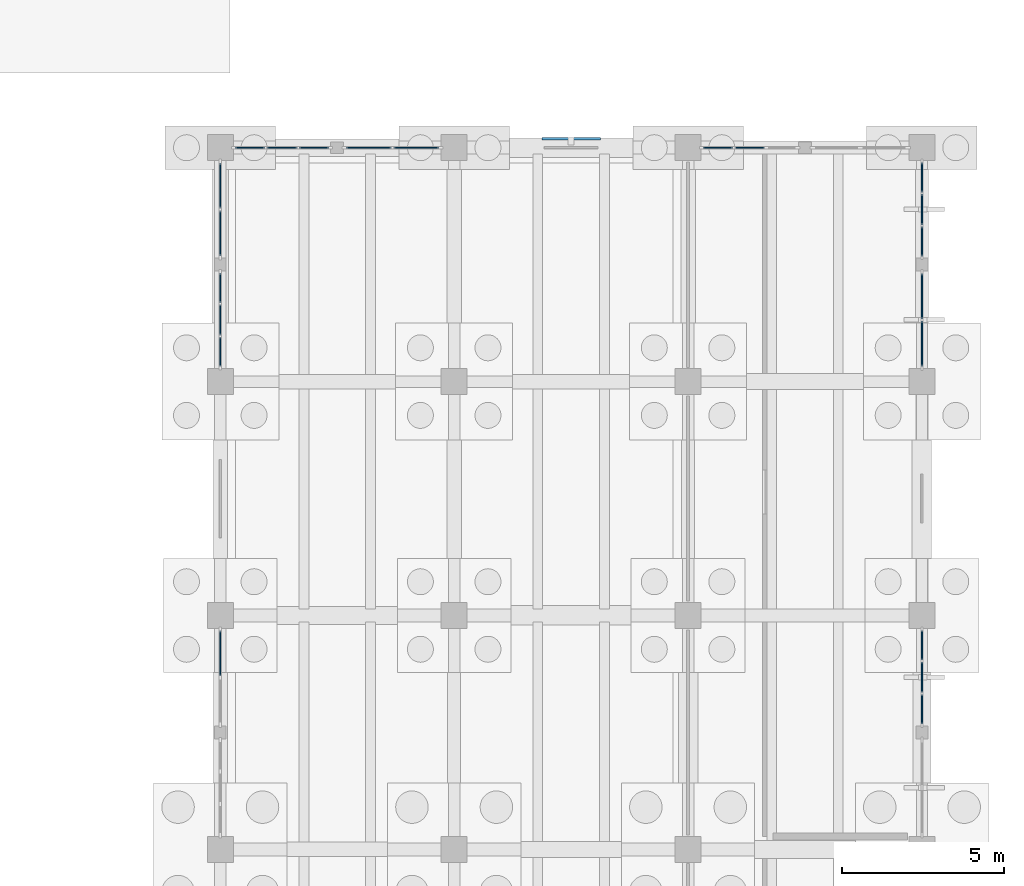
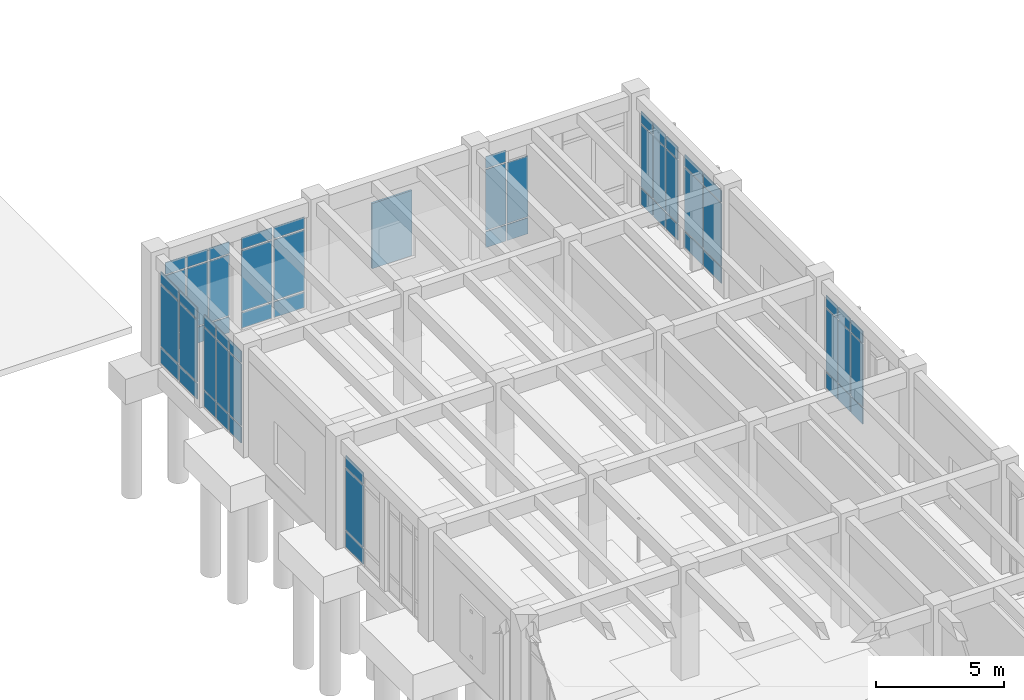
# One storey, part 60 of 93: 63 plates, 9 elements without a shape of their own.
"""IFC4 building model written with IfcOpenShell, lengths in metres."""

from ifc_helpers import new_model, si_unit, direction, frame, origin, origin_2d, place, context, subcontext, project, spatial, rectangle, extrude, material, layer, layer_set, type_object, element, aggregate, save


model = new_model("IFC4")

# Units and contexts
model_context = context("Model", 3, precision=1e-05, world=origin(), true_north=direction((0.0, 1.0)))
body_context = subcontext(model_context, "Body", "Model", "MODEL_VIEW")
ifc_project = project(units=[si_unit("LENGTHUNIT", "METRE"), si_unit("AREAUNIT", "SQUARE_METRE"), si_unit("VOLUMEUNIT", "CUBIC_METRE"), si_unit("PLANEANGLEUNIT", "RADIAN"), si_unit("MASSUNIT", "GRAM", prefix="KILO")], contexts=[model_context])

# Site, building, storey
site_placement = place(None, origin())
site = spatial("IfcSite", under=ifc_project, at=site_placement, CompositionType="ELEMENT")
building_placement = place(site_placement, origin())
building = spatial("IfcBuilding", under=site, at=building_placement, Name="Koriwan Promenade Central Fire Station", CompositionType="ELEMENT")
storey_placement = place(building_placement, origin())
storey = spatial("IfcBuildingStorey", under=building, at=storey_placement, Name="L00", CompositionType="ELEMENT", Elevation=0.0)

# Curtain wall, plates
ifc_material_1 = material(Name="Aluminium EN AW-6063-T6 and low-E glazing", Category="aluminium")
ifc_layer_1 = layer(ifc_material_1, 0.159912109375, Name="Aluminium EN AW-6063-T6 and low-E glazing")
ifc_layer_set_1 = layer_set([ifc_layer_1], Name="Aluminium EN AW-6063-T6 and low-E glazing")
curtain_wall_type_1 = type_object("IfcCurtainWallType", Name="CurtainWall_52_300x449", PredefinedType="USERDEFINED", material=ifc_layer_set_1)
curtain_wall_1_placement = place(storey_placement, origin())
curtain_wall_1 = element("IfcCurtainWall", 1, at=curtain_wall_1_placement, inside=storey, type_object=curtain_wall_type_1, Name="V5 L00 unitised curtain wall 142", ObjectType="UNITISED CURTAIN WALL", PredefinedType="USERDEFINED")
ifc_material_2 = material(Name="Blast-resistant laminated safety glazing", Category="glass")
ifc_layer_2 = layer(ifc_material_2, 0.035888671875, Name="Blast-resistant laminated safety glazing")
ifc_layer_set_2 = layer_set([ifc_layer_2], Name="Blast-resistant laminated safety glazing")
plate_type_1 = type_object("IfcPlateType", Name="CWPanel_36", PredefinedType="CURTAIN_PANEL", material=ifc_layer_set_2)
plate_1_placement = place(storey_placement, frame((151.199951171875, 63.63134765625, 0.0751953125), z_axis=(0.0, 0.0, 1.0), x_axis=(0.0, 1.0, 0.0)))
plate_1 = element("IfcPlate", 2, at=plate_1_placement, type_object=plate_type_1, Name="CW-52 panel 2.1", PredefinedType="CURTAIN_PANEL", context=body_context, shape_type="SweptSolid", body=[
    extrude(rectangle(XDim=1.387451171875, YDim=0.035888671875, at=origin_2d()), origin(), (0.0, 0.0, 1.0), 0.737548828125),
])
plate_2_placement = place(storey_placement, frame((151.199951171875, 63.63134765625, 0.887451171875), z_axis=(0.0, 0.0, 1.0), x_axis=(0.0, 1.0, 0.0)))
plate_2 = element("IfcPlate", 3, at=plate_2_placement, type_object=plate_type_1, Name="CW-52 panel 2.2", PredefinedType="CURTAIN_PANEL", context=body_context, shape_type="SweptSolid", body=[
    extrude(rectangle(XDim=1.387451171875, YDim=0.035888671875, at=origin_2d()), origin(), (0.0, 0.0, 1.0), 2.9150390625),
])
plate_3_placement = place(storey_placement, frame((151.199951171875, 63.63134765625, 3.87744140625), z_axis=(0.0, 0.0, 1.0), x_axis=(0.0, 1.0, 0.0)))
plate_3 = element("IfcPlate", 4, at=plate_3_placement, type_object=plate_type_1, Name="CW-52 panel 2.3", PredefinedType="CURTAIN_PANEL", context=body_context, shape_type="SweptSolid", body=[
    extrude(rectangle(XDim=1.387451171875, YDim=0.035888671875, at=origin_2d()), origin(), (0.0, 0.0, 1.0), 0.53759765625),
])
aggregate(curtain_wall_1, [plate_1, plate_2, plate_3])

ifc_layer_3 = layer(ifc_material_1, 0.159912109375, Name="Aluminium EN AW-6063-T6 and low-E glazing")
ifc_layer_set_3 = layer_set([ifc_layer_3], Name="Aluminium EN AW-6063-T6 and low-E glazing")
curtain_wall_type_2 = type_object("IfcCurtainWallType", Name="CurtainWall_53_300x450", PredefinedType="USERDEFINED", material=ifc_layer_set_3)
curtain_wall_2_placement = place(storey_placement, origin())
curtain_wall_2 = element("IfcCurtainWall", 5, at=curtain_wall_2_placement, inside=storey, type_object=curtain_wall_type_2, Name="V5 L00 unitised curtain wall 143", ObjectType="UNITISED CURTAIN WALL", PredefinedType="USERDEFINED")
plate_4_placement = place(storey_placement, frame((151.199951171875, 72.916259765625, 0.06494140625), z_axis=(0.0, 0.0, 1.0), x_axis=(0.0, 1.0, 0.0)))
plate_4 = element("IfcPlate", 6, at=plate_4_placement, type_object=plate_type_1, Name="CW-53 panel 1.1", PredefinedType="CURTAIN_PANEL", context=body_context, shape_type="SweptSolid", body=[
    extrude(rectangle(XDim=0.902587890625, YDim=0.035888671875, at=origin_2d()), origin(), (0.0, 0.0, 1.0), 0.75244140625),
])
plate_5_placement = place(storey_placement, frame((151.199951171875, 72.916259765625, 0.882568359375), z_axis=(0.0, 0.0, 1.0), x_axis=(0.0, 1.0, 0.0)))
plate_5 = element("IfcPlate", 7, at=plate_5_placement, type_object=plate_type_1, Name="CW-53 panel 1.2", PredefinedType="CURTAIN_PANEL", context=body_context, shape_type="SweptSolid", body=[
    extrude(rectangle(XDim=0.902587890625, YDim=0.035888671875, at=origin_2d()), origin(), (0.0, 0.0, 1.0), 2.93505859375),
])
plate_6_placement = place(storey_placement, frame((151.199951171875, 72.916259765625, 3.88232421875), z_axis=(0.0, 0.0, 1.0), x_axis=(0.0, 1.0, 0.0)))
plate_6 = element("IfcPlate", 8, at=plate_6_placement, type_object=plate_type_1, Name="CW-53 panel 1.3", PredefinedType="CURTAIN_PANEL", context=body_context, shape_type="SweptSolid", body=[
    extrude(rectangle(XDim=0.902587890625, YDim=0.035888671875, at=origin_2d()), origin(), (0.0, 0.0, 1.0), 0.552490234375),
])
plate_7_placement = place(storey_placement, frame((151.199951171875, 73.89990234375, 0.06494140625), z_axis=(0.0, 0.0, 1.0), x_axis=(0.0, 1.0, 0.0)))
plate_7 = element("IfcPlate", 9, at=plate_7_placement, type_object=plate_type_1, Name="CW-53 panel 2.1", PredefinedType="CURTAIN_PANEL", context=body_context, shape_type="SweptSolid", body=[
    extrude(rectangle(XDim=0.93505859375, YDim=0.035888671875, at=origin_2d()), origin(), (0.0, 0.0, 1.0), 0.75244140625),
])
plate_8_placement = place(storey_placement, frame((151.199951171875, 73.89990234375, 0.882568359375), z_axis=(0.0, 0.0, 1.0), x_axis=(0.0, 1.0, 0.0)))
plate_8 = element("IfcPlate", 10, at=plate_8_placement, type_object=plate_type_1, Name="CW-53 panel 2.2", PredefinedType="CURTAIN_PANEL", context=body_context, shape_type="SweptSolid", body=[
    extrude(rectangle(XDim=0.93505859375, YDim=0.035888671875, at=origin_2d()), origin(), (0.0, 0.0, 1.0), 2.93505859375),
])
plate_9_placement = place(storey_placement, frame((151.199951171875, 73.89990234375, 3.88232421875), z_axis=(0.0, 0.0, 1.0), x_axis=(0.0, 1.0, 0.0)))
plate_9 = element("IfcPlate", 11, at=plate_9_placement, type_object=plate_type_1, Name="CW-53 panel 2.3", PredefinedType="CURTAIN_PANEL", context=body_context, shape_type="SweptSolid", body=[
    extrude(rectangle(XDim=0.93505859375, YDim=0.035888671875, at=origin_2d()), origin(), (0.0, 0.0, 1.0), 0.552490234375),
])
plate_10_placement = place(storey_placement, frame((151.199951171875, 74.8837890625, 0.06494140625), z_axis=(0.0, 0.0, 1.0), x_axis=(0.0, 1.0, 0.0)))
plate_10 = element("IfcPlate", 12, at=plate_10_placement, type_object=plate_type_1, Name="CW-53 panel 3.1", PredefinedType="CURTAIN_PANEL", context=body_context, shape_type="SweptSolid", body=[
    extrude(rectangle(XDim=0.902587890625, YDim=0.035888671875, at=origin_2d()), origin(), (0.0, 0.0, 1.0), 0.75244140625),
])
plate_11_placement = place(storey_placement, frame((151.199951171875, 74.8837890625, 0.882568359375), z_axis=(0.0, 0.0, 1.0), x_axis=(0.0, 1.0, 0.0)))
plate_11 = element("IfcPlate", 13, at=plate_11_placement, type_object=plate_type_1, Name="CW-53 panel 3.2", PredefinedType="CURTAIN_PANEL", context=body_context, shape_type="SweptSolid", body=[
    extrude(rectangle(XDim=0.902587890625, YDim=0.035888671875, at=origin_2d()), origin(), (0.0, 0.0, 1.0), 2.93505859375),
])
plate_12_placement = place(storey_placement, frame((151.199951171875, 74.8837890625, 3.88232421875), z_axis=(0.0, 0.0, 1.0), x_axis=(0.0, 1.0, 0.0)))
plate_12 = element("IfcPlate", 14, at=plate_12_placement, type_object=plate_type_1, Name="CW-53 panel 3.3", PredefinedType="CURTAIN_PANEL", context=body_context, shape_type="SweptSolid", body=[
    extrude(rectangle(XDim=0.902587890625, YDim=0.035888671875, at=origin_2d()), origin(), (0.0, 0.0, 1.0), 0.552490234375),
])
aggregate(curtain_wall_2, [plate_4, plate_5, plate_6, plate_7, plate_8, plate_9, plate_10, plate_11, plate_12])

ifc_layer_4 = layer(ifc_material_1, 0.159912109375, Name="Aluminium EN AW-6063-T6 and low-E glazing")
ifc_layer_set_4 = layer_set([ifc_layer_4], Name="Aluminium EN AW-6063-T6 and low-E glazing")
curtain_wall_type_3 = type_object("IfcCurtainWallType", Name="CurtainWall_54_300x450", PredefinedType="USERDEFINED", material=ifc_layer_set_4)
curtain_wall_3_placement = place(storey_placement, origin())
curtain_wall_3 = element("IfcCurtainWall", 15, at=curtain_wall_3_placement, inside=storey, type_object=curtain_wall_type_3, Name="V5 L00 unitised curtain wall 144", ObjectType="UNITISED CURTAIN WALL", PredefinedType="USERDEFINED")
plate_13_placement = place(storey_placement, frame((151.199951171875, 76.56884765625, 0.0751953125), z_axis=(0.0, 0.0, 1.0), x_axis=(0.0, 1.0, 0.0)))
plate_13 = element("IfcPlate", 16, at=plate_13_placement, type_object=plate_type_1, Name="CW-54 panel 1.1", PredefinedType="CURTAIN_PANEL", context=body_context, shape_type="SweptSolid", body=[
    extrude(rectangle(XDim=1.387451171875, YDim=0.035888671875, at=origin_2d()), origin(), (0.0, 0.0, 1.0), 0.737548828125),
])
plate_14_placement = place(storey_placement, frame((151.199951171875, 76.56884765625, 0.8876953125), z_axis=(0.0, 0.0, 1.0), x_axis=(0.0, 1.0, 0.0)))
plate_14 = element("IfcPlate", 17, at=plate_14_placement, type_object=plate_type_1, Name="CW-54 panel 1.2", PredefinedType="CURTAIN_PANEL", context=body_context, shape_type="SweptSolid", body=[
    extrude(rectangle(XDim=1.387451171875, YDim=0.035888671875, at=origin_2d()), origin(), (0.0, 0.0, 1.0), 2.925048828125),
])
plate_15_placement = place(storey_placement, frame((151.199951171875, 76.56884765625, 3.887451171875), z_axis=(0.0, 0.0, 1.0), x_axis=(0.0, 1.0, 0.0)))
plate_15 = element("IfcPlate", 18, at=plate_15_placement, type_object=plate_type_1, Name="CW-54 panel 1.3", PredefinedType="CURTAIN_PANEL", context=body_context, shape_type="SweptSolid", body=[
    extrude(rectangle(XDim=1.387451171875, YDim=0.035888671875, at=origin_2d()), origin(), (0.0, 0.0, 1.0), 0.53759765625),
])
plate_16_placement = place(storey_placement, frame((151.199951171875, 78.03125, 0.0751953125), z_axis=(0.0, 0.0, 1.0), x_axis=(0.0, 1.0, 0.0)))
plate_16 = element("IfcPlate", 19, at=plate_16_placement, type_object=plate_type_1, Name="CW-54 panel 2.1", PredefinedType="CURTAIN_PANEL", context=body_context, shape_type="SweptSolid", body=[
    extrude(rectangle(XDim=1.387451171875, YDim=0.035888671875, at=origin_2d()), origin(), (0.0, 0.0, 1.0), 0.737548828125),
])
plate_17_placement = place(storey_placement, frame((151.199951171875, 78.03125, 0.8876953125), z_axis=(0.0, 0.0, 1.0), x_axis=(0.0, 1.0, 0.0)))
plate_17 = element("IfcPlate", 20, at=plate_17_placement, type_object=plate_type_1, Name="CW-54 panel 2.2", PredefinedType="CURTAIN_PANEL", context=body_context, shape_type="SweptSolid", body=[
    extrude(rectangle(XDim=1.387451171875, YDim=0.035888671875, at=origin_2d()), origin(), (0.0, 0.0, 1.0), 2.925048828125),
])
plate_18_placement = place(storey_placement, frame((151.199951171875, 78.03125, 3.887451171875), z_axis=(0.0, 0.0, 1.0), x_axis=(0.0, 1.0, 0.0)))
plate_18 = element("IfcPlate", 21, at=plate_18_placement, type_object=plate_type_1, Name="CW-54 panel 2.3", PredefinedType="CURTAIN_PANEL", context=body_context, shape_type="SweptSolid", body=[
    extrude(rectangle(XDim=1.387451171875, YDim=0.035888671875, at=origin_2d()), origin(), (0.0, 0.0, 1.0), 0.53759765625),
])
aggregate(curtain_wall_3, [plate_13, plate_14, plate_15, plate_16, plate_17, plate_18])

ifc_layer_5 = layer(ifc_material_1, 0.159912109375, Name="Aluminium EN AW-6063-T6 and low-E glazing")
ifc_layer_set_5 = layer_set([ifc_layer_5], Name="Aluminium EN AW-6063-T6 and low-E glazing")
curtain_wall_type_4 = type_object("IfcCurtainWallType", Name="CurtainWall_55_300x445", PredefinedType="USERDEFINED", material=ifc_layer_set_5)
curtain_wall_4_placement = place(storey_placement, origin())
curtain_wall_4 = element("IfcCurtainWall", 22, at=curtain_wall_4_placement, inside=storey, type_object=curtain_wall_type_4, Name="V5 L00 unitised curtain wall 145", ObjectType="UNITISED CURTAIN WALL", PredefinedType="USERDEFINED")
plate_19_placement = place(storey_placement, frame((152.1162109375, 79.199951171875, 0.06494140625), z_axis=(0.0, 0.0, 1.0), x_axis=(1.0, 0.0, 0.0)))
plate_19 = element("IfcPlate", 23, at=plate_19_placement, type_object=plate_type_1, Name="CW-55 panel 1.1", PredefinedType="CURTAIN_PANEL", context=body_context, shape_type="SweptSolid", body=[
    extrude(rectangle(XDim=0.902587890625, YDim=0.035888671875, at=origin_2d()), origin(), (0.0, 0.0, 1.0), 0.75244140625),
])
plate_20_placement = place(storey_placement, frame((152.1162109375, 79.199951171875, 0.88232421875), z_axis=(0.0, 0.0, 1.0), x_axis=(1.0, 0.0, 0.0)))
plate_20 = element("IfcPlate", 24, at=plate_20_placement, type_object=plate_type_1, Name="CW-55 panel 1.2", PredefinedType="CURTAIN_PANEL", context=body_context, shape_type="SweptSolid", body=[
    extrude(rectangle(XDim=0.902587890625, YDim=0.035888671875, at=origin_2d()), origin(), (0.0, 0.0, 1.0), 2.885009765625),
])
plate_21_placement = place(storey_placement, frame((152.1162109375, 79.199951171875, 3.83251953125), z_axis=(0.0, 0.0, 1.0), x_axis=(1.0, 0.0, 0.0)))
plate_21 = element("IfcPlate", 25, at=plate_21_placement, type_object=plate_type_1, Name="CW-55 panel 1.3", PredefinedType="CURTAIN_PANEL", context=body_context, shape_type="SweptSolid", body=[
    extrude(rectangle(XDim=0.902587890625, YDim=0.035888671875, at=origin_2d()), origin(), (0.0, 0.0, 1.0), 0.552490234375),
])
plate_22_placement = place(storey_placement, frame((153.10009765625, 79.199951171875, 0.06494140625), z_axis=(0.0, 0.0, 1.0), x_axis=(1.0, 0.0, 0.0)))
plate_22 = element("IfcPlate", 26, at=plate_22_placement, type_object=plate_type_1, Name="CW-55 panel 2.1", PredefinedType="CURTAIN_PANEL", context=body_context, shape_type="SweptSolid", body=[
    extrude(rectangle(XDim=0.93505859375, YDim=0.035888671875, at=origin_2d()), origin(), (0.0, 0.0, 1.0), 0.75244140625),
])
plate_23_placement = place(storey_placement, frame((153.10009765625, 79.199951171875, 0.88232421875), z_axis=(0.0, 0.0, 1.0), x_axis=(1.0, 0.0, 0.0)))
plate_23 = element("IfcPlate", 27, at=plate_23_placement, type_object=plate_type_1, Name="CW-55 panel 2.2", PredefinedType="CURTAIN_PANEL", context=body_context, shape_type="SweptSolid", body=[
    extrude(rectangle(XDim=0.93505859375, YDim=0.035888671875, at=origin_2d()), origin(), (0.0, 0.0, 1.0), 2.885009765625),
])
plate_24_placement = place(storey_placement, frame((153.10009765625, 79.199951171875, 3.83251953125), z_axis=(0.0, 0.0, 1.0), x_axis=(1.0, 0.0, 0.0)))
plate_24 = element("IfcPlate", 28, at=plate_24_placement, type_object=plate_type_1, Name="CW-55 panel 2.3", PredefinedType="CURTAIN_PANEL", context=body_context, shape_type="SweptSolid", body=[
    extrude(rectangle(XDim=0.93505859375, YDim=0.035888671875, at=origin_2d()), origin(), (0.0, 0.0, 1.0), 0.552490234375),
])
plate_25_placement = place(storey_placement, frame((154.083740234375, 79.199951171875, 0.06494140625), z_axis=(0.0, 0.0, 1.0), x_axis=(1.0, 0.0, 0.0)))
plate_25 = element("IfcPlate", 29, at=plate_25_placement, type_object=plate_type_1, Name="CW-55 panel 3.1", PredefinedType="CURTAIN_PANEL", context=body_context, shape_type="SweptSolid", body=[
    extrude(rectangle(XDim=0.902587890625, YDim=0.035888671875, at=origin_2d()), origin(), (0.0, 0.0, 1.0), 0.75244140625),
])
plate_26_placement = place(storey_placement, frame((154.083740234375, 79.199951171875, 0.88232421875), z_axis=(0.0, 0.0, 1.0), x_axis=(1.0, 0.0, 0.0)))
plate_26 = element("IfcPlate", 30, at=plate_26_placement, type_object=plate_type_1, Name="CW-55 panel 3.2", PredefinedType="CURTAIN_PANEL", context=body_context, shape_type="SweptSolid", body=[
    extrude(rectangle(XDim=0.902587890625, YDim=0.035888671875, at=origin_2d()), origin(), (0.0, 0.0, 1.0), 2.885009765625),
])
plate_27_placement = place(storey_placement, frame((154.083740234375, 79.199951171875, 3.83251953125), z_axis=(0.0, 0.0, 1.0), x_axis=(1.0, 0.0, 0.0)))
plate_27 = element("IfcPlate", 31, at=plate_27_placement, type_object=plate_type_1, Name="CW-55 panel 3.3", PredefinedType="CURTAIN_PANEL", context=body_context, shape_type="SweptSolid", body=[
    extrude(rectangle(XDim=0.902587890625, YDim=0.035888671875, at=origin_2d()), origin(), (0.0, 0.0, 1.0), 0.552490234375),
])
aggregate(curtain_wall_4, [plate_19, plate_20, plate_21, plate_22, plate_23, plate_24, plate_25, plate_26, plate_27])

ifc_layer_6 = layer(ifc_material_1, 0.159912109375, Name="Aluminium EN AW-6063-T6 and low-E glazing")
ifc_layer_set_6 = layer_set([ifc_layer_6], Name="Aluminium EN AW-6063-T6 and low-E glazing")
curtain_wall_type_5 = type_object("IfcCurtainWallType", Name="CurtainWall_56_300x445", PredefinedType="USERDEFINED", material=ifc_layer_set_6)
curtain_wall_5_placement = place(storey_placement, origin())
curtain_wall_5 = element("IfcCurtainWall", 32, at=curtain_wall_5_placement, inside=storey, type_object=curtain_wall_type_5, Name="V5 L00 unitised curtain wall 146", ObjectType="UNITISED CURTAIN WALL", PredefinedType="USERDEFINED")
plate_28_placement = place(storey_placement, frame((155.768798828125, 79.199951171875, 0.0751953125), z_axis=(0.0, 0.0, 1.0), x_axis=(1.0, 0.0, 0.0)))
plate_28 = element("IfcPlate", 33, at=plate_28_placement, type_object=plate_type_1, Name="CW-56 panel 1.1", PredefinedType="CURTAIN_PANEL", context=body_context, shape_type="SweptSolid", body=[
    extrude(rectangle(XDim=1.387451171875, YDim=0.035888671875, at=origin_2d()), origin(), (0.0, 0.0, 1.0), 0.737548828125),
])
plate_29_placement = place(storey_placement, frame((155.768798828125, 79.199951171875, 0.887451171875), z_axis=(0.0, 0.0, 1.0), x_axis=(1.0, 0.0, 0.0)))
plate_29 = element("IfcPlate", 34, at=plate_29_placement, type_object=plate_type_1, Name="CW-56 panel 1.2", PredefinedType="CURTAIN_PANEL", context=body_context, shape_type="SweptSolid", body=[
    extrude(rectangle(XDim=1.387451171875, YDim=0.035888671875, at=origin_2d()), origin(), (0.0, 0.0, 1.0), 2.875),
])
plate_30_placement = place(storey_placement, frame((155.768798828125, 79.199951171875, 3.83740234375), z_axis=(0.0, 0.0, 1.0), x_axis=(1.0, 0.0, 0.0)))
plate_30 = element("IfcPlate", 35, at=plate_30_placement, type_object=plate_type_1, Name="CW-56 panel 1.3", PredefinedType="CURTAIN_PANEL", context=body_context, shape_type="SweptSolid", body=[
    extrude(rectangle(XDim=1.387451171875, YDim=0.035888671875, at=origin_2d()), origin(), (0.0, 0.0, 1.0), 0.53759765625),
])
plate_31_placement = place(storey_placement, frame((157.231201171875, 79.199951171875, 0.0751953125), z_axis=(0.0, 0.0, 1.0), x_axis=(1.0, 0.0, 0.0)))
plate_31 = element("IfcPlate", 36, at=plate_31_placement, type_object=plate_type_1, Name="CW-56 panel 2.1", PredefinedType="CURTAIN_PANEL", context=body_context, shape_type="SweptSolid", body=[
    extrude(rectangle(XDim=1.387451171875, YDim=0.035888671875, at=origin_2d()), origin(), (0.0, 0.0, 1.0), 0.737548828125),
])
plate_32_placement = place(storey_placement, frame((157.231201171875, 79.199951171875, 0.887451171875), z_axis=(0.0, 0.0, 1.0), x_axis=(1.0, 0.0, 0.0)))
plate_32 = element("IfcPlate", 37, at=plate_32_placement, type_object=plate_type_1, Name="CW-56 panel 2.2", PredefinedType="CURTAIN_PANEL", context=body_context, shape_type="SweptSolid", body=[
    extrude(rectangle(XDim=1.387451171875, YDim=0.035888671875, at=origin_2d()), origin(), (0.0, 0.0, 1.0), 2.875),
])
plate_33_placement = place(storey_placement, frame((157.231201171875, 79.199951171875, 3.83740234375), z_axis=(0.0, 0.0, 1.0), x_axis=(1.0, 0.0, 0.0)))
plate_33 = element("IfcPlate", 38, at=plate_33_placement, type_object=plate_type_1, Name="CW-56 panel 2.3", PredefinedType="CURTAIN_PANEL", context=body_context, shape_type="SweptSolid", body=[
    extrude(rectangle(XDim=1.387451171875, YDim=0.035888671875, at=origin_2d()), origin(), (0.0, 0.0, 1.0), 0.53759765625),
])
aggregate(curtain_wall_5, [plate_28, plate_29, plate_30, plate_31, plate_32, plate_33])

curtain_wall_6_placement = place(storey_placement, origin())
curtain_wall_6 = element("IfcCurtainWall", 39, at=curtain_wall_6_placement, inside=storey, type_object=curtain_wall_type_4, Name="V5 L00 unitised curtain wall 147", ObjectType="UNITISED CURTAIN WALL", PredefinedType="USERDEFINED")
plate_34_placement = place(storey_placement, frame((166.516357421875, 79.199951171875, 0.06494140625), z_axis=(0.0, 0.0, 1.0), x_axis=(1.0, 0.0, 0.0)))
plate_34 = element("IfcPlate", 40, at=plate_34_placement, type_object=plate_type_1, Name="CW-55 panel 1.1", PredefinedType="CURTAIN_PANEL", context=body_context, shape_type="SweptSolid", body=[
    extrude(rectangle(XDim=0.902587890625, YDim=0.035888671875, at=origin_2d()), origin(), (0.0, 0.0, 1.0), 0.75244140625),
])
plate_35_placement = place(storey_placement, frame((166.516357421875, 79.199951171875, 0.88232421875), z_axis=(0.0, 0.0, 1.0), x_axis=(1.0, 0.0, 0.0)))
plate_35 = element("IfcPlate", 41, at=plate_35_placement, type_object=plate_type_1, Name="CW-55 panel 1.2", PredefinedType="CURTAIN_PANEL", context=body_context, shape_type="SweptSolid", body=[
    extrude(rectangle(XDim=0.902587890625, YDim=0.035888671875, at=origin_2d()), origin(), (0.0, 0.0, 1.0), 2.885009765625),
])
plate_36_placement = place(storey_placement, frame((166.516357421875, 79.199951171875, 3.83251953125), z_axis=(0.0, 0.0, 1.0), x_axis=(1.0, 0.0, 0.0)))
plate_36 = element("IfcPlate", 42, at=plate_36_placement, type_object=plate_type_1, Name="CW-55 panel 1.3", PredefinedType="CURTAIN_PANEL", context=body_context, shape_type="SweptSolid", body=[
    extrude(rectangle(XDim=0.902587890625, YDim=0.035888671875, at=origin_2d()), origin(), (0.0, 0.0, 1.0), 0.552490234375),
])
plate_37_placement = place(storey_placement, frame((167.5, 79.199951171875, 0.06494140625), z_axis=(0.0, 0.0, 1.0), x_axis=(1.0, 0.0, 0.0)))
plate_37 = element("IfcPlate", 43, at=plate_37_placement, type_object=plate_type_1, Name="CW-55 panel 2.1", PredefinedType="CURTAIN_PANEL", context=body_context, shape_type="SweptSolid", body=[
    extrude(rectangle(XDim=0.93505859375, YDim=0.035888671875, at=origin_2d()), origin(), (0.0, 0.0, 1.0), 0.75244140625),
])
plate_38_placement = place(storey_placement, frame((167.5, 79.199951171875, 0.88232421875), z_axis=(0.0, 0.0, 1.0), x_axis=(1.0, 0.0, 0.0)))
plate_38 = element("IfcPlate", 44, at=plate_38_placement, type_object=plate_type_1, Name="CW-55 panel 2.2", PredefinedType="CURTAIN_PANEL", context=body_context, shape_type="SweptSolid", body=[
    extrude(rectangle(XDim=0.93505859375, YDim=0.035888671875, at=origin_2d()), origin(), (0.0, 0.0, 1.0), 2.885009765625),
])
aggregate(curtain_wall_6, [plate_34, plate_35, plate_36, plate_37, plate_38])

ifc_layer_7 = layer(ifc_material_1, 0.159912109375, Name="Aluminium EN AW-6063-T6 and low-E glazing")
ifc_layer_set_7 = layer_set([ifc_layer_7], Name="Aluminium EN AW-6063-T6 and low-E glazing")
curtain_wall_type_6 = type_object("IfcCurtainWallType", Name="CurtainWall_57_300x455", PredefinedType="USERDEFINED", material=ifc_layer_set_7)
curtain_wall_7_placement = place(storey_placement, origin())
curtain_wall_7 = element("IfcCurtainWall", 45, at=curtain_wall_7_placement, inside=storey, type_object=curtain_wall_type_6, Name="V5 L00 unitised curtain wall 149", ObjectType="UNITISED CURTAIN WALL", PredefinedType="USERDEFINED")
plate_39_placement = place(storey_placement, frame((172.800048828125, 78.28369140625, 0.06494140625), z_axis=(0.0, 0.0, 1.0), x_axis=(0.0, -1.0, 0.0)))
plate_39 = element("IfcPlate", 46, at=plate_39_placement, type_object=plate_type_1, Name="CW-57 panel 1.1", PredefinedType="CURTAIN_PANEL", context=body_context, shape_type="SweptSolid", body=[
    extrude(rectangle(XDim=0.902587890625, YDim=0.035888671875, at=origin_2d()), origin(), (0.0, 0.0, 1.0), 0.75244140625),
])
plate_40_placement = place(storey_placement, frame((172.800048828125, 78.28369140625, 0.88232421875), z_axis=(0.0, 0.0, 1.0), x_axis=(0.0, -1.0, 0.0)))
plate_40 = element("IfcPlate", 47, at=plate_40_placement, type_object=plate_type_1, Name="CW-57 panel 1.2", PredefinedType="CURTAIN_PANEL", context=body_context, shape_type="SweptSolid", body=[
    extrude(rectangle(XDim=0.902587890625, YDim=0.035888671875, at=origin_2d()), origin(), (0.0, 0.0, 1.0), 2.985107421875),
])
plate_41_placement = place(storey_placement, frame((172.800048828125, 78.28369140625, 3.9326171875), z_axis=(0.0, 0.0, 1.0), x_axis=(0.0, -1.0, 0.0)))
plate_41 = element("IfcPlate", 48, at=plate_41_placement, type_object=plate_type_1, Name="CW-57 panel 1.3", PredefinedType="CURTAIN_PANEL", context=body_context, shape_type="SweptSolid", body=[
    extrude(rectangle(XDim=0.902587890625, YDim=0.035888671875, at=origin_2d()), origin(), (0.0, 0.0, 1.0), 0.552490234375),
])
plate_42_placement = place(storey_placement, frame((172.800048828125, 77.300048828125, 0.06494140625), z_axis=(0.0, 0.0, 1.0), x_axis=(0.0, -1.0, 0.0)))
plate_42 = element("IfcPlate", 49, at=plate_42_placement, type_object=plate_type_1, Name="CW-57 panel 2.1", PredefinedType="CURTAIN_PANEL", context=body_context, shape_type="SweptSolid", body=[
    extrude(rectangle(XDim=0.93505859375, YDim=0.035888671875, at=origin_2d()), origin(), (0.0, 0.0, 1.0), 0.75244140625),
])
plate_43_placement = place(storey_placement, frame((172.800048828125, 77.300048828125, 0.88232421875), z_axis=(0.0, 0.0, 1.0), x_axis=(0.0, -1.0, 0.0)))
plate_43 = element("IfcPlate", 50, at=plate_43_placement, type_object=plate_type_1, Name="CW-57 panel 2.2", PredefinedType="CURTAIN_PANEL", context=body_context, shape_type="SweptSolid", body=[
    extrude(rectangle(XDim=0.93505859375, YDim=0.035888671875, at=origin_2d()), origin(), (0.0, 0.0, 1.0), 2.985107421875),
])
plate_44_placement = place(storey_placement, frame((172.800048828125, 77.300048828125, 3.9326171875), z_axis=(0.0, 0.0, 1.0), x_axis=(0.0, -1.0, 0.0)))
plate_44 = element("IfcPlate", 51, at=plate_44_placement, type_object=plate_type_1, Name="CW-57 panel 2.3", PredefinedType="CURTAIN_PANEL", context=body_context, shape_type="SweptSolid", body=[
    extrude(rectangle(XDim=0.93505859375, YDim=0.035888671875, at=origin_2d()), origin(), (0.0, 0.0, 1.0), 0.552490234375),
])
plate_45_placement = place(storey_placement, frame((172.800048828125, 76.316162109375, 0.06494140625), z_axis=(0.0, 0.0, 1.0), x_axis=(0.0, -1.0, 0.0)))
plate_45 = element("IfcPlate", 52, at=plate_45_placement, type_object=plate_type_1, Name="CW-57 panel 3.1", PredefinedType="CURTAIN_PANEL", context=body_context, shape_type="SweptSolid", body=[
    extrude(rectangle(XDim=0.902587890625, YDim=0.035888671875, at=origin_2d()), origin(), (0.0, 0.0, 1.0), 0.75244140625),
])
plate_46_placement = place(storey_placement, frame((172.800048828125, 76.316162109375, 0.88232421875), z_axis=(0.0, 0.0, 1.0), x_axis=(0.0, -1.0, 0.0)))
plate_46 = element("IfcPlate", 53, at=plate_46_placement, type_object=plate_type_1, Name="CW-57 panel 3.2", PredefinedType="CURTAIN_PANEL", context=body_context, shape_type="SweptSolid", body=[
    extrude(rectangle(XDim=0.902587890625, YDim=0.035888671875, at=origin_2d()), origin(), (0.0, 0.0, 1.0), 2.985107421875),
])
plate_47_placement = place(storey_placement, frame((172.800048828125, 76.316162109375, 3.9326171875), z_axis=(0.0, 0.0, 1.0), x_axis=(0.0, -1.0, 0.0)))
plate_47 = element("IfcPlate", 54, at=plate_47_placement, type_object=plate_type_1, Name="CW-57 panel 3.3", PredefinedType="CURTAIN_PANEL", context=body_context, shape_type="SweptSolid", body=[
    extrude(rectangle(XDim=0.902587890625, YDim=0.035888671875, at=origin_2d()), origin(), (0.0, 0.0, 1.0), 0.552490234375),
])
aggregate(curtain_wall_7, [plate_39, plate_40, plate_41, plate_42, plate_43, plate_44, plate_45, plate_46, plate_47])

ifc_layer_8 = layer(ifc_material_1, 0.159912109375, Name="Aluminium EN AW-6063-T6 and low-E glazing")
ifc_layer_set_8 = layer_set([ifc_layer_8], Name="Aluminium EN AW-6063-T6 and low-E glazing")
curtain_wall_type_7 = type_object("IfcCurtainWallType", Name="CurtainWall_58_300x455", PredefinedType="USERDEFINED", material=ifc_layer_set_8)
curtain_wall_8_placement = place(storey_placement, origin())
curtain_wall_8 = element("IfcCurtainWall", 55, at=curtain_wall_8_placement, inside=storey, type_object=curtain_wall_type_7, Name="V5 L00 unitised curtain wall 150", ObjectType="UNITISED CURTAIN WALL", PredefinedType="USERDEFINED")
plate_48_placement = place(storey_placement, frame((172.800048828125, 74.63134765625, 0.0751953125), z_axis=(0.0, 0.0, 1.0), x_axis=(0.0, -1.0, 0.0)))
plate_48 = element("IfcPlate", 56, at=plate_48_placement, type_object=plate_type_1, Name="CW-58 panel 1.1", PredefinedType="CURTAIN_PANEL", context=body_context, shape_type="SweptSolid", body=[
    extrude(rectangle(XDim=1.387451171875, YDim=0.035888671875, at=origin_2d()), origin(), (0.0, 0.0, 1.0), 0.737548828125),
])
plate_49_placement = place(storey_placement, frame((172.800048828125, 74.63134765625, 0.887451171875), z_axis=(0.0, 0.0, 1.0), x_axis=(0.0, -1.0, 0.0)))
plate_49 = element("IfcPlate", 57, at=plate_49_placement, type_object=plate_type_1, Name="CW-58 panel 1.2", PredefinedType="CURTAIN_PANEL", context=body_context, shape_type="SweptSolid", body=[
    extrude(rectangle(XDim=1.387451171875, YDim=0.035888671875, at=origin_2d()), origin(), (0.0, 0.0, 1.0), 2.97509765625),
])
plate_50_placement = place(storey_placement, frame((172.800048828125, 74.63134765625, 3.9375), z_axis=(0.0, 0.0, 1.0), x_axis=(0.0, -1.0, 0.0)))
plate_50 = element("IfcPlate", 58, at=plate_50_placement, type_object=plate_type_1, Name="CW-58 panel 1.3", PredefinedType="CURTAIN_PANEL", context=body_context, shape_type="SweptSolid", body=[
    extrude(rectangle(XDim=1.387451171875, YDim=0.035888671875, at=origin_2d()), origin(), (0.0, 0.0, 1.0), 0.53759765625),
])
plate_51_placement = place(storey_placement, frame((172.800048828125, 73.168701171875, 0.0751953125), z_axis=(0.0, 0.0, 1.0), x_axis=(0.0, -1.0, 0.0)))
plate_51 = element("IfcPlate", 59, at=plate_51_placement, type_object=plate_type_1, Name="CW-58 panel 2.1", PredefinedType="CURTAIN_PANEL", context=body_context, shape_type="SweptSolid", body=[
    extrude(rectangle(XDim=1.387451171875, YDim=0.035888671875, at=origin_2d()), origin(), (0.0, 0.0, 1.0), 0.737548828125),
])
plate_52_placement = place(storey_placement, frame((172.800048828125, 73.168701171875, 0.887451171875), z_axis=(0.0, 0.0, 1.0), x_axis=(0.0, -1.0, 0.0)))
plate_52 = element("IfcPlate", 60, at=plate_52_placement, type_object=plate_type_1, Name="CW-58 panel 2.2", PredefinedType="CURTAIN_PANEL", context=body_context, shape_type="SweptSolid", body=[
    extrude(rectangle(XDim=1.387451171875, YDim=0.035888671875, at=origin_2d()), origin(), (0.0, 0.0, 1.0), 2.97509765625),
])
plate_53_placement = place(storey_placement, frame((172.800048828125, 73.168701171875, 3.9375), z_axis=(0.0, 0.0, 1.0), x_axis=(0.0, -1.0, 0.0)))
plate_53 = element("IfcPlate", 61, at=plate_53_placement, type_object=plate_type_1, Name="CW-58 panel 2.3", PredefinedType="CURTAIN_PANEL", context=body_context, shape_type="SweptSolid", body=[
    extrude(rectangle(XDim=1.387451171875, YDim=0.035888671875, at=origin_2d()), origin(), (0.0, 0.0, 1.0), 0.53759765625),
])
aggregate(curtain_wall_8, [plate_48, plate_49, plate_50, plate_51, plate_52, plate_53])

ifc_layer_9 = layer(ifc_material_1, 0.159912109375, Name="Aluminium EN AW-6063-T6 and low-E glazing")
ifc_layer_set_9 = layer_set([ifc_layer_9], Name="Aluminium EN AW-6063-T6 and low-E glazing")
curtain_wall_type_8 = type_object("IfcCurtainWallType", Name="CurtainWall_59_300x454", PredefinedType="USERDEFINED", material=ifc_layer_set_9)
curtain_wall_9_placement = place(storey_placement, origin())
curtain_wall_9 = element("IfcCurtainWall", 62, at=curtain_wall_9_placement, inside=storey, type_object=curtain_wall_type_8, Name="V5 L00 unitised curtain wall 151", ObjectType="UNITISED CURTAIN WALL", PredefinedType="USERDEFINED")
plate_54_placement = place(storey_placement, frame((172.800048828125, 63.8837890625, 0.06494140625), z_axis=(0.0, 0.0, 1.0), x_axis=(0.0, -1.0, 0.0)))
plate_54 = element("IfcPlate", 63, at=plate_54_placement, type_object=plate_type_1, Name="CW-59 panel 1.1", PredefinedType="CURTAIN_PANEL", context=body_context, shape_type="SweptSolid", body=[
    extrude(rectangle(XDim=0.902587890625, YDim=0.035888671875, at=origin_2d()), origin(), (0.0, 0.0, 1.0), 0.75244140625),
])
plate_55_placement = place(storey_placement, frame((172.800048828125, 63.8837890625, 0.882568359375), z_axis=(0.0, 0.0, 1.0), x_axis=(0.0, -1.0, 0.0)))
plate_55 = element("IfcPlate", 64, at=plate_55_placement, type_object=plate_type_1, Name="CW-59 panel 1.2", PredefinedType="CURTAIN_PANEL", context=body_context, shape_type="SweptSolid", body=[
    extrude(rectangle(XDim=0.902587890625, YDim=0.035888671875, at=origin_2d()), origin(), (0.0, 0.0, 1.0), 2.97509765625),
])
plate_56_placement = place(storey_placement, frame((172.800048828125, 63.8837890625, 3.92236328125), z_axis=(0.0, 0.0, 1.0), x_axis=(0.0, -1.0, 0.0)))
plate_56 = element("IfcPlate", 65, at=plate_56_placement, type_object=plate_type_1, Name="CW-59 panel 1.3", PredefinedType="CURTAIN_PANEL", context=body_context, shape_type="SweptSolid", body=[
    extrude(rectangle(XDim=0.902587890625, YDim=0.035888671875, at=origin_2d()), origin(), (0.0, 0.0, 1.0), 0.552490234375),
])
plate_57_placement = place(storey_placement, frame((172.800048828125, 62.89990234375, 0.06494140625), z_axis=(0.0, 0.0, 1.0), x_axis=(0.0, -1.0, 0.0)))
plate_57 = element("IfcPlate", 66, at=plate_57_placement, type_object=plate_type_1, Name="CW-59 panel 2.1", PredefinedType="CURTAIN_PANEL", context=body_context, shape_type="SweptSolid", body=[
    extrude(rectangle(XDim=0.93505859375, YDim=0.035888671875, at=origin_2d()), origin(), (0.0, 0.0, 1.0), 0.75244140625),
])
plate_58_placement = place(storey_placement, frame((172.800048828125, 62.89990234375, 0.882568359375), z_axis=(0.0, 0.0, 1.0), x_axis=(0.0, -1.0, 0.0)))
plate_58 = element("IfcPlate", 67, at=plate_58_placement, type_object=plate_type_1, Name="CW-59 panel 2.2", PredefinedType="CURTAIN_PANEL", context=body_context, shape_type="SweptSolid", body=[
    extrude(rectangle(XDim=0.93505859375, YDim=0.035888671875, at=origin_2d()), origin(), (0.0, 0.0, 1.0), 2.97509765625),
])
plate_59_placement = place(storey_placement, frame((172.800048828125, 62.89990234375, 3.92236328125), z_axis=(0.0, 0.0, 1.0), x_axis=(0.0, -1.0, 0.0)))
plate_59 = element("IfcPlate", 68, at=plate_59_placement, type_object=plate_type_1, Name="CW-59 panel 2.3", PredefinedType="CURTAIN_PANEL", context=body_context, shape_type="SweptSolid", body=[
    extrude(rectangle(XDim=0.93505859375, YDim=0.035888671875, at=origin_2d()), origin(), (0.0, 0.0, 1.0), 0.552490234375),
])
plate_60_placement = place(storey_placement, frame((172.800048828125, 61.916259765625, 0.06494140625), z_axis=(0.0, 0.0, 1.0), x_axis=(0.0, -1.0, 0.0)))
plate_60 = element("IfcPlate", 69, at=plate_60_placement, type_object=plate_type_1, Name="CW-59 panel 3.1", PredefinedType="CURTAIN_PANEL", context=body_context, shape_type="SweptSolid", body=[
    extrude(rectangle(XDim=0.902587890625, YDim=0.035888671875, at=origin_2d()), origin(), (0.0, 0.0, 1.0), 0.75244140625),
])
plate_61_placement = place(storey_placement, frame((172.800048828125, 61.916259765625, 0.882568359375), z_axis=(0.0, 0.0, 1.0), x_axis=(0.0, -1.0, 0.0)))
plate_61 = element("IfcPlate", 70, at=plate_61_placement, type_object=plate_type_1, Name="CW-59 panel 3.2", PredefinedType="CURTAIN_PANEL", context=body_context, shape_type="SweptSolid", body=[
    extrude(rectangle(XDim=0.902587890625, YDim=0.035888671875, at=origin_2d()), origin(), (0.0, 0.0, 1.0), 2.97509765625),
])
plate_62_placement = place(storey_placement, frame((172.800048828125, 61.916259765625, 3.92236328125), z_axis=(0.0, 0.0, 1.0), x_axis=(0.0, -1.0, 0.0)))
plate_62 = element("IfcPlate", 71, at=plate_62_placement, type_object=plate_type_1, Name="CW-59 panel 3.3", PredefinedType="CURTAIN_PANEL", context=body_context, shape_type="SweptSolid", body=[
    extrude(rectangle(XDim=0.902587890625, YDim=0.035888671875, at=origin_2d()), origin(), (0.0, 0.0, 1.0), 0.552490234375),
])
aggregate(curtain_wall_9, [plate_54, plate_55, plate_56, plate_57, plate_58, plate_59, plate_60, plate_61, plate_62])

# Plate
ifc_material_3 = material(Name="Precast concrete C40/50", Category="concrete")
ifc_layer_10 = layer(ifc_material_3, 0.090087890625, Name="Precast concrete C40/50")
ifc_layer_set_10 = layer_set([ifc_layer_10], Name="Precast concrete C40/50")
plate_type_2 = type_object("IfcPlateType", Name="JaliScreen_JL-03", PredefinedType="USERDEFINED", material=ifc_layer_set_10)
plate_63_placement = place(storey_placement, frame((162.0, 79.47509765625, 0.64990234375), z_axis=(0.0, 0.0, 1.0), x_axis=(1.0, 0.0, 0.0)))
element("IfcPlate", 72, at=plate_63_placement, inside=storey, type_object=plate_type_2, Name="V5 L00 Mughal jali screen 013", ObjectType="JALI SCREEN", PredefinedType="USERDEFINED", context=body_context, shape_type="SweptSolid", body=[
    extrude(rectangle(XDim=1.800048828125, YDim=0.090087890625, at=origin_2d()), origin(), (0.0, 0.0, 1.0), 3.10009765625),
])

save(model, "model.ifc")
